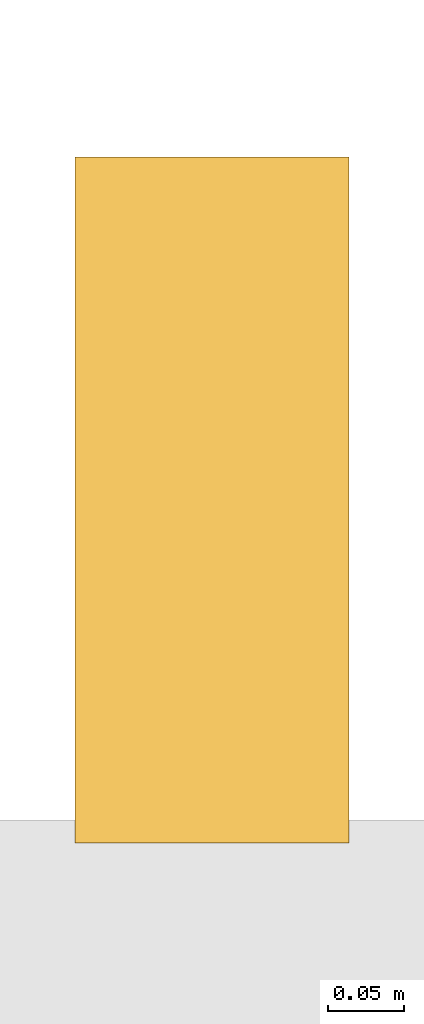
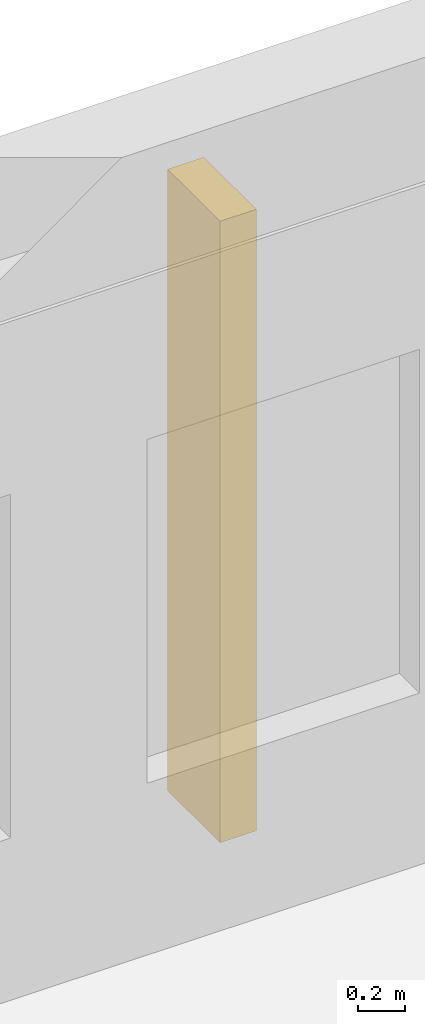
# One storey, part 106 of 106: 1 shading device.
"""IFC4 building model written with IfcOpenShell, lengths in metres."""

import ifcopenshell
import ifcopenshell.guid

model = None  # the IFC model being written
_history = None  # IfcOwnerHistory: only IFC2X3 demands one
_inside = {}  # id of a spatial element -> (the spatial element, [elements in it])
_under = {}  # id of a project, library or spatial element -> (it, [spatial elements below it])
_declared = {}  # id of a project -> (the project, [libraries it declares])
_typed = {}  # id of a type object -> (the type object, [elements of that type])
_made_of = {}  # id of a material, layer set ... -> (it, [elements and type objects made of it])


def new_model(schema):
    """Start an empty IFC model of exactly this schema.

    Asked for "IFC4X3", IfcOpenShell would pick the latest addendum, in which some entities
    have other attributes; the version numbers below select the first issue.
    IFC2X3 requires an IfcOwnerHistory on every rooted entity: one is made here for all.
    """
    global model, _history
    if schema == "IFC4X3":
        model = ifcopenshell.file(schema_version=(4, 3, 0, 0))
    else:
        model = ifcopenshell.file(schema=schema)
    _inside.clear()
    _under.clear()
    _declared.clear()
    _typed.clear()
    _made_of.clear()
    _history = None
    if model.schema == "IFC2X3":
        org = make("IfcOrganization", Name="unknown")
        user = make(
            "IfcPersonAndOrganization",
            ThePerson=make("IfcPerson", FamilyName="unknown"),
            TheOrganization=org,
        )
        app = make(
            "IfcApplication",
            ApplicationDeveloper=org,
            Version="unknown",
            ApplicationFullName="unknown",
            ApplicationIdentifier="unknown",
        )
        _history = make(
            "IfcOwnerHistory",
            OwningUser=user,
            OwningApplication=app,
            ChangeAction="ADDED",
            CreationDate=0,
        )
    return model


def make(cls, **values):
    """One entity of the class cls with the attributes given. An attribute that is None is left unset."""
    return model.create_entity(
        cls, **{name: value for name, value in values.items() if value is not None}
    )


def rooted(cls, **values):
    """An entity with a GlobalId (a new one), such as an element, a storey or a relation."""
    return make(cls, GlobalId=ifcopenshell.guid.new(), OwnerHistory=_history, **values)


def si_unit(unit_type, name, prefix=None):
    """IfcSIUnit, for example si_unit("LENGTHUNIT", "METRE", prefix="MILLI")."""
    return make("IfcSIUnit", UnitType=unit_type, Prefix=prefix, Name=name)


def assignment(units):
    """IfcUnitAssignment: the units of a project."""
    return None if units is None else make("IfcUnitAssignment", Units=units)


def point(xyz):
    """IfcCartesianPoint."""
    return None if xyz is None else make("IfcCartesianPoint", Coordinates=xyz)


def direction(xyz):
    """IfcDirection."""
    return None if xyz is None else make("IfcDirection", DirectionRatios=xyz)


def frame(location, z_axis=None, x_axis=None):
    """IfcAxis2Placement3D, a coordinate frame: its origin and axes. An axis left out is left unset."""
    return make(
        "IfcAxis2Placement3D",
        Location=point(location),
        Axis=direction(z_axis),
        RefDirection=direction(x_axis),
    )


def frame_2d(location, x_axis=None):
    """IfcAxis2Placement2D, a coordinate frame in the plane: its origin and x axis."""
    return make(
        "IfcAxis2Placement2D", Location=point(location), RefDirection=direction(x_axis)
    )


def origin():
    """The frame at (0, 0, 0) with its axes left unset."""
    return frame((0.0, 0.0, 0.0))


def origin_2d():
    """The frame at (0, 0) in the plane with its x axis left unset."""
    return frame_2d((0.0, 0.0))


def place(relative_to, where):
    """IfcLocalPlacement: puts the frame where relative to a parent placement (None: the world)."""
    return make(
        "IfcLocalPlacement", PlacementRelTo=relative_to, RelativePlacement=where
    )


def context(
    kind, dimensions, precision=None, world=None, true_north=None, identifier=None
):
    """IfcGeometricRepresentationContext, for example the 3D "Model" context."""
    return make(
        "IfcGeometricRepresentationContext",
        ContextIdentifier=identifier,
        ContextType=kind,
        CoordinateSpaceDimension=dimensions,
        Precision=precision,
        WorldCoordinateSystem=world,
        TrueNorth=true_north,
    )


def subcontext(parent, identifier, kind, view, scale=None):
    """IfcGeometricRepresentationSubContext, for example "Body" below "Model"."""
    return make(
        "IfcGeometricRepresentationSubContext",
        ContextIdentifier=identifier,
        ContextType=kind,
        ParentContext=parent,
        TargetScale=scale,
        TargetView=view,
    )


def project(units=None, contexts=None):
    """IfcProject with its units and contexts."""
    return rooted(
        "IfcProject",
        Name="project",
        RepresentationContexts=contexts,
        UnitsInContext=assignment(units),
    )


def spatial(cls, under=None, at=None, **own):
    """A site, building, storey or space (cls), placed at a placement, below another one or the project."""
    s = rooted(cls, ObjectPlacement=at, **own)
    if under is not None:
        _under.setdefault(under.id(), (under, []))[1].append(s)
    return s


def profile(cls, at=None, kind="AREA", **sizes):
    """A parametric profile (cls). Its sizes go by their IFC names, for example OverallWidth=200.0."""
    return make(cls, ProfileType=kind, Position=at, **sizes)


def rectangle(**sizes):
    """IfcRectangleProfileDef."""
    return profile("IfcRectangleProfileDef", **sizes)


def extrude(swept, where, along, depth):
    """IfcExtrudedAreaSolid: the profile swept, set in the frame where, extruded along a direction by depth."""
    return make(
        "IfcExtrudedAreaSolid",
        SweptArea=swept,
        Position=where,
        ExtrudedDirection=direction(along),
        Depth=depth,
    )


def shape(context_of_items, identifier, shape_type, items):
    """IfcShapeRepresentation: the items that make up one representation, for example the "Body"."""
    return make(
        "IfcShapeRepresentation",
        ContextOfItems=context_of_items,
        RepresentationIdentifier=identifier,
        RepresentationType=shape_type,
        Items=items,
    )


def material(Name=None, Category=None):
    """IfcMaterial."""
    return make("IfcMaterial", Name=Name, Category=Category)


def made_of(thing, what):
    """Note that an element or type object is made of a material, layer set ...; save() writes the relation."""
    if what is not None:
        _made_of.setdefault(what.id(), (what, []))[1].append(thing)
    return thing


def type_object(cls, material=None, **own):
    """A type object (cls), such as IfcWallType, which elements share."""
    return made_of(rooted(cls, **own), material)


def element(
    cls,
    number,
    at=None,
    inside=None,
    cuts=None,
    type_object=None,
    material=None,
    context=None,
    identifier="Body",
    shape_type=None,
    held_by="IfcProductDefinitionShape",
    body=None,
    shapes=None,
    **own,
):
    """One element of the class cls, such as IfcWall. Its Tag is "e" and its number.

    at: its placement. inside: the storey or other place that contains it. cuts: it is an
    opening in that element (IfcRelVoidsElement). A single representation is given by context,
    identifier, shape_type and body (its items); several are given by shapes. held_by: the class
    of the entity that holds the representations. save() writes the other relations.
    """
    e = rooted(cls, Tag="e%d" % number, ObjectPlacement=at, **own)
    if body is not None:
        shapes = [shape(context, identifier, shape_type, body)]
    if shapes is not None:
        e.Representation = make(held_by, Representations=shapes)
    if inside is not None:
        _inside.setdefault(inside.id(), (inside, []))[1].append(e)
    if cuts is not None:
        rooted(
            "IfcRelVoidsElement", RelatingBuildingElement=cuts, RelatedOpeningElement=e
        )
    if type_object is not None:
        _typed.setdefault(type_object.id(), (type_object, []))[1].append(e)
    return made_of(e, material)


def aggregate(whole, parts):
    """IfcRelAggregates: a whole, such as a stair, and the parts it consists of."""
    return rooted("IfcRelAggregates", RelatingObject=whole, RelatedObjects=parts)


def save(model, path):
    """Write the relations noted so far, then the file.

    IfcRelAggregates (storeys below a building ...), IfcRelContainedInSpatialStructure (elements
    in a storey), IfcRelDefinesByType, IfcRelAssociatesMaterial and IfcRelDeclares: one each for
    every whole, place, type object, material and project.
    """
    for whole, parts in _under.values():
        aggregate(whole, parts)
    for where, things in _inside.values():
        rooted(
            "IfcRelContainedInSpatialStructure",
            RelatedElements=things,
            RelatingStructure=where,
        )
    for kind, things in _typed.values():
        rooted("IfcRelDefinesByType", RelatedObjects=things, RelatingType=kind)
    for what, things in _made_of.values():
        rooted("IfcRelAssociatesMaterial", RelatedObjects=things, RelatingMaterial=what)
    for by, libraries in _declared.values():
        rooted("IfcRelDeclares", RelatingContext=by, RelatedDefinitions=libraries)
    model.write(path)


model = new_model("IFC4")

# Units and contexts
model_context = context("Model", 3, precision=1e-05, world=origin(), true_north=direction((0.0, 1.0)))
body_context = subcontext(model_context, "Body", "Model", "MODEL_VIEW")
ifc_project = project(units=[si_unit("LENGTHUNIT", "METRE"), si_unit("AREAUNIT", "SQUARE_METRE"), si_unit("VOLUMEUNIT", "CUBIC_METRE"), si_unit("PLANEANGLEUNIT", "RADIAN"), si_unit("MASSUNIT", "GRAM", prefix="KILO")], contexts=[model_context])

# Site, building, storey
site_placement = place(None, origin())
site = spatial("IfcSite", under=ifc_project, at=site_placement, CompositionType="ELEMENT")
building_placement = place(site_placement, origin())
building = spatial("IfcBuilding", under=site, at=building_placement, Name="Carrowvane Square Congress Hotel", CompositionType="ELEMENT")
storey_placement = place(building_placement, frame((0.0, 0.0, 10.5)))
storey = spatial("IfcBuildingStorey", under=building, at=storey_placement, Name="L02", CompositionType="ELEMENT", Elevation=10.5)

# Shading device
ifc_material = material(Name="Portland limestone cladding", Category="masonry")
shading_device_type = type_object("IfcShadingDeviceType", Name="SHD-FIN-LS", PredefinedType="USERDEFINED", material=ifc_material)
shading_device_placement = place(storey_placement, frame((180.800048828125, 92.2099609375, 0.150146484375), z_axis=(0.0, 0.0, 1.0), x_axis=(1.0, 0.0, 0.0)))
element("IfcShadingDevice", 1, at=shading_device_placement, inside=storey, type_object=shading_device_type, Name="Limestone brise-soleil fin 6", ObjectType="FIN", PredefinedType="USERDEFINED", context=body_context, shape_type="SweptSolid", body=[
    extrude(rectangle(XDim=0.179931640625, YDim=0.449951171875, at=origin_2d()), origin(), (0.0, 0.0, 1.0), 3.2548828125),
])

save(model, "model.ifc")
